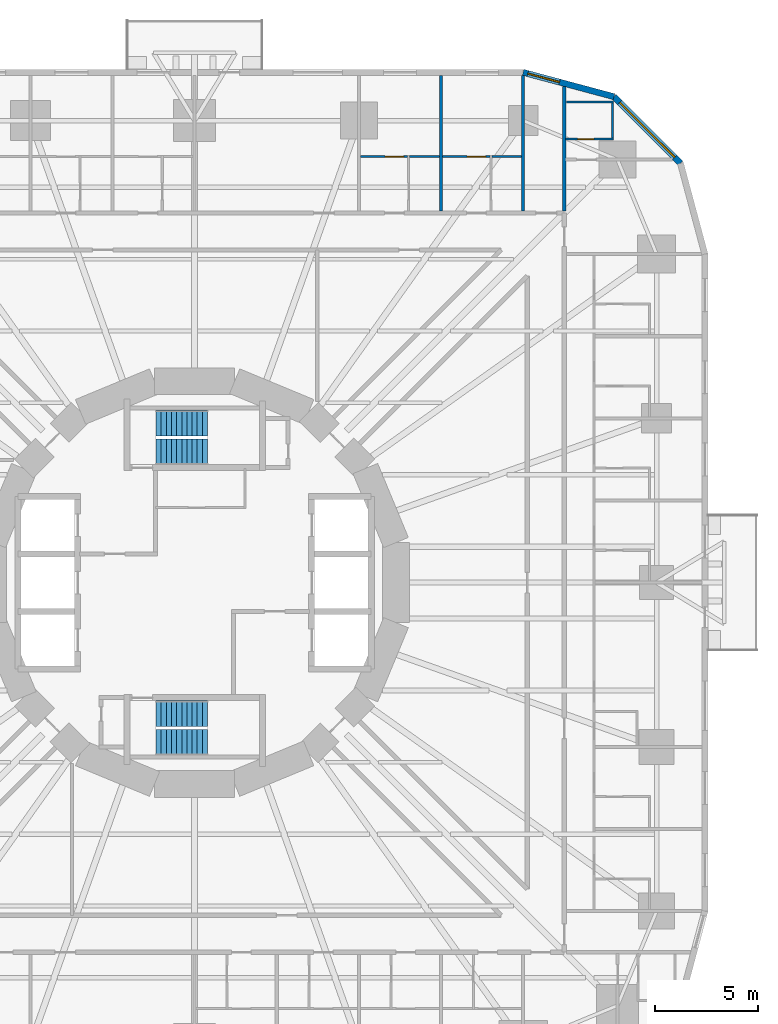
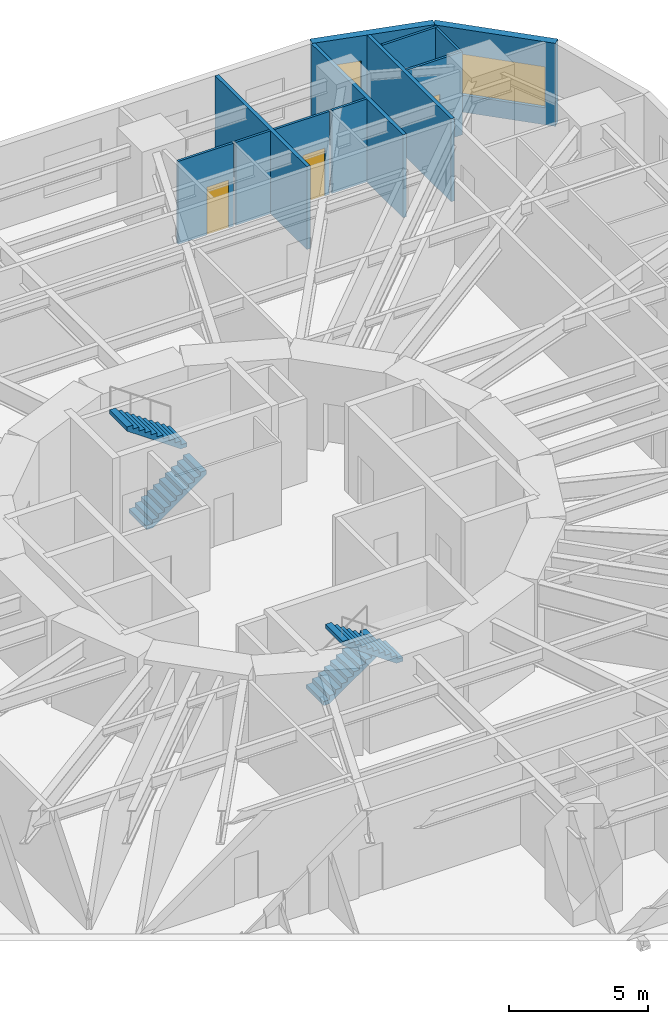
# One storey, part 12 of 14: 12 walls, 4 stair flights, 3 doors, 2 windows, 5 openings, 2 elements without a shape of their own.
"""IFC4 building model written with IfcOpenShell, lengths in metres."""

from ifc_helpers import new_model, si_unit, direction, frame, frame_2d, origin, place, context, subcontext, project, spatial, polyline, rectangle, outline, extrude, material, layer, layer_set, type_object, element, fill, aggregate, save


model = new_model("IFC4")

# Units and contexts
model_context = context("Model", 3, precision=1e-05, world=origin(), true_north=direction((0.0, 1.0)))
body_context = subcontext(model_context, "Body", "Model", "MODEL_VIEW")
ifc_project = project(units=[si_unit("LENGTHUNIT", "METRE"), si_unit("AREAUNIT", "SQUARE_METRE"), si_unit("VOLUMEUNIT", "CUBIC_METRE"), si_unit("PLANEANGLEUNIT", "RADIAN"), si_unit("MASSUNIT", "GRAM", prefix="KILO")], contexts=[model_context])

# Site, building, storey
site_placement = place(None, origin())
site = spatial("IfcSite", under=ifc_project, at=site_placement, CompositionType="ELEMENT")
building_placement = place(site_placement, origin())
building = spatial("IfcBuilding", under=site, at=building_placement, Name="Nakasero Lantern House", CompositionType="ELEMENT")
storey_placement = place(building_placement, frame((0.0, 0.0, 19.85009765625)))
storey = spatial("IfcBuildingStorey", under=building, at=storey_placement, Name="L04", CompositionType="ELEMENT", Elevation=19.85009765625)

# Wall, opening, door
ifc_material_1 = material(Name="Blockwork", Category="masonry")
ifc_layer_1 = layer(ifc_material_1, 0.10009765625)
ifc_layer_set_1 = layer_set([ifc_layer_1], Name="En-suite wall 100")
wall_type_1 = type_object("IfcWallType", Name="En-suite wall 100", PredefinedType="PARTITIONING", material=ifc_layer_set_1)
wall_1_placement = place(storey_placement, frame((18.06494140625, 21.59619140625, 0.0), z_axis=(0.0, 0.0, 1.0), x_axis=(1.0, 0.0, 0.0)))
wall_1 = element("IfcWall", 1, at=wall_1_placement, inside=storey, type_object=wall_type_1, Name="En-suite wall L04 ES0-09", PredefinedType="PARTITIONING", context=body_context, shape_type="SweptSolid", body=[
    extrude(rectangle(XDim=2.3349609375, YDim=0.10009765625, at=frame_2d((1.16748046875, 0.0))), origin(), (0.0, 0.0, 1.0), 3.64990234375),
])
opening_1_placement = place(wall_1_placement, frame((0.5849609375, 0.0, 0.0)))
opening_1 = element("IfcOpeningElement", 2, at=opening_1_placement, cuts=wall_1, Name="Opening D02", PredefinedType="OPENING", context=body_context, shape_type="SweptSolid", body=[
    extrude(rectangle(XDim=0.800048828125, YDim=2.10009765625, at=frame_2d((0.39990234375, 1.050048828125))), frame((0.0, 0.070068359375, 0.0), z_axis=(0.0, -1.0, 0.0), x_axis=(1.0, 0.0, 0.0)), (0.0, 0.0, 1.0), 0.14013671875),
])
ifc_material_2 = material(Name="Timber C24", Category="wood")
door_type_1 = type_object("IfcDoorType", Name="En-suite door 800", OperationType="SINGLE_SWING_RIGHT", PredefinedType="DOOR", material=ifc_material_2)
door_1_placement = place(opening_1_placement, origin())
door_1 = element("IfcDoor", 3, at=door_1_placement, inside=storey, type_object=door_type_1, Name="Door L04 DE0-09", OperationType="SINGLE_SWING_LEFT", OverallHeight=2.10009765625, OverallWidth=0.800048828125, PredefinedType="DOOR", context=body_context, shape_type="SweptSolid", body=[
    extrude(rectangle(XDim=0.800048828125, YDim=2.10009765625, at=frame_2d((0.39990234375, 1.050048828125))), frame((0.0, 0.02490234375, 0.0), z_axis=(0.0, -1.0, 0.0), x_axis=(1.0, 0.0, 0.0)), (0.0, 0.0, 1.0), 0.050048828125),
])
fill(opening_1, door_1)

# Walls
wall_2_placement = place(storey_placement, frame((20.35009765625, 21.646240234375, 0.0), z_axis=(0.0, 0.0, 1.0), x_axis=(0.0, 1.0, 0.0)))
element("IfcWall", 4, at=wall_2_placement, inside=storey, type_object=wall_type_1, Name="En-suite wall L04 EE0-09", PredefinedType="PARTITIONING", context=body_context, shape_type="SweptSolid", body=[
    extrude(rectangle(XDim=1.699951171875, YDim=0.10009765625, at=frame_2d((0.85009765625, 0.0))), origin(), (0.0, 0.0, 1.0), 3.64990234375),
])
wall_3_placement = place(storey_placement, frame((18.10009765625, 23.396240234375, 0.0), z_axis=(0.0, 0.0, 1.0), x_axis=(1.0, 0.0, 0.0)))
element("IfcWall", 5, at=wall_3_placement, inside=storey, type_object=wall_type_1, Name="En-suite wall L04 EV0-09", PredefinedType="PARTITIONING", context=body_context, shape_type="SweptSolid", body=[
    extrude(rectangle(XDim=2.2998046875, YDim=0.10009765625, at=frame_2d((1.14990234375, 0.0))), origin(), (0.0, 0.0, 1.0), 3.64990234375),
])
for number, where, z_axis, x_axis, name in (
    (6, (15.925048828125, 20.75, 0.0), (0.0, 0.0, 1.0), (-1.0, 0.0, 0.0), "En-suite wall L04 EE1-01"),
    (7, (11.925048828125, 20.75, 0.0), (0.0, 0.0, 1.0), (-1.0, 0.0, 0.0), "En-suite wall L04 EE1-02"),
):
    element("IfcWall", number, at=place(storey_placement, frame(where, z_axis=z_axis, x_axis=x_axis)), inside=storey, type_object=wall_type_1, Name=name, PredefinedType="PARTITIONING", context=body_context, shape_type="SweptSolid", body=[
        extrude(rectangle(XDim=1.449951171875, YDim=0.10009765625, at=frame_2d((0.72509765625, 0.0))), origin(), (0.0, 0.0, 1.0), 3.64990234375),
    ])

# Wall, opening, door
wall_4_placement = place(storey_placement, frame((14.375, 20.75, 0.0), z_axis=(0.0, 0.0, 1.0), x_axis=(-1.0, 0.0, 0.0)))
wall_4 = element("IfcWall", 8, at=wall_4_placement, inside=storey, type_object=wall_type_1, Name="En-suite wall L04 EL1-01", PredefinedType="PARTITIONING", context=body_context, shape_type="SweptSolid", body=[
    extrude(rectangle(XDim=2.300048828125, YDim=0.10009765625, at=frame_2d((1.14990234375, 0.0))), origin(), (0.0, 0.0, 1.0), 3.64990234375),
])
opening_2_placement = place(wall_4_placement, frame((0.199951171875, 0.0, 0.0)))
opening_2 = element("IfcOpeningElement", 9, at=opening_2_placement, cuts=wall_4, Name="Opening D17", PredefinedType="OPENING", context=body_context, shape_type="SweptSolid", body=[
    extrude(rectangle(XDim=0.89990234375, YDim=2.10009765625, at=frame_2d((0.449951171875, 1.050048828125))), frame((0.0, 0.070068359375, 0.0), z_axis=(0.0, -1.0, 0.0), x_axis=(1.0, 0.0, 0.0)), (0.0, 0.0, 1.0), 0.14013671875),
])
ifc_material_3 = material(Name="Timber C24", Category="wood")
door_type_2 = type_object("IfcDoorType", Name="Bedroom door FD30S 900", OperationType="SINGLE_SWING_LEFT", PredefinedType="DOOR", material=ifc_material_3)
door_2_placement = place(opening_2_placement, origin())
door_2 = element("IfcDoor", 10, at=door_2_placement, inside=storey, type_object=door_type_2, Name="Door L04 DL1-01", OperationType="SINGLE_SWING_LEFT", OverallHeight=2.10009765625, OverallWidth=0.89990234375, PredefinedType="DOOR", context=body_context, shape_type="SweptSolid", body=[
    extrude(rectangle(XDim=0.89990234375, YDim=2.10009765625, at=frame_2d((0.449951171875, 1.050048828125))), frame((0.0, 0.02490234375, 0.0), z_axis=(0.0, -1.0, 0.0), x_axis=(1.0, 0.0, 0.0)), (0.0, 0.0, 1.0), 0.050048828125),
])
fill(opening_2, door_2)

wall_5_placement = place(storey_placement, frame((10.375, 20.75, 0.0), z_axis=(0.0, 0.0, 1.0), x_axis=(-1.0, 0.0, 0.0)))
wall_5 = element("IfcWall", 11, at=wall_5_placement, inside=storey, type_object=wall_type_1, Name="En-suite wall L04 EL1-02", PredefinedType="PARTITIONING", context=body_context, shape_type="SweptSolid", body=[
    extrude(rectangle(XDim=2.300048828125, YDim=0.10009765625, at=frame_2d((1.14990234375, 0.0))), origin(), (0.0, 0.0, 1.0), 3.64990234375),
])
opening_3_placement = place(wall_5_placement, frame((0.199951171875, 0.0, 0.0)))
opening_3 = element("IfcOpeningElement", 12, at=opening_3_placement, cuts=wall_5, Name="Opening D17", PredefinedType="OPENING", context=body_context, shape_type="SweptSolid", body=[
    extrude(rectangle(XDim=0.89990234375, YDim=2.10009765625, at=frame_2d((0.449951171875, 1.050048828125))), frame((0.0, 0.070068359375, 0.0), z_axis=(0.0, -1.0, 0.0), x_axis=(1.0, 0.0, 0.0)), (0.0, 0.0, 1.0), 0.14013671875),
])
door_3_placement = place(opening_3_placement, origin())
door_3 = element("IfcDoor", 13, at=door_3_placement, inside=storey, type_object=door_type_2, Name="Door L04 DL1-02", OperationType="SINGLE_SWING_LEFT", OverallHeight=2.10009765625, OverallWidth=0.89990234375, PredefinedType="DOOR", context=body_context, shape_type="SweptSolid", body=[
    extrude(rectangle(XDim=0.89990234375, YDim=2.10009765625, at=frame_2d((0.449951171875, 1.050048828125))), frame((0.0, 0.02490234375, 0.0), z_axis=(0.0, -1.0, 0.0), x_axis=(1.0, 0.0, 0.0)), (0.0, 0.0, 1.0), 0.050048828125),
])
fill(opening_3, door_3)

# Wall, opening, window
ifc_material_4 = material(Name="Aluminium rainscreen on blockwork", Category="masonry")
ifc_layer_2 = layer(ifc_material_4, 0.300048828125)
ifc_layer_set_2 = layer_set([ifc_layer_2], Name="Facade wall 300")
wall_type_2 = type_object("IfcWallType", Name="Facade wall 300", PredefinedType="SOLIDWALL", material=ifc_layer_set_2)
wall_6_placement = place(storey_placement, frame((23.664306640625, 20.425048828125, 0.0), z_axis=(0.0, 0.0, 1.0), x_axis=(-0.707106781187, 0.707106781187, 0.0)))
wall_6 = element("IfcWall", 14, at=wall_6_placement, inside=storey, type_object=wall_type_2, Name="Facade wall L04 FW0C2", PredefinedType="SOLIDWALL", context=body_context, shape_type="SweptSolid", body=[
    extrude(rectangle(XDim=4.5810546875, YDim=0.300048828125, at=frame_2d((2.29052734375, 0.0))), origin(), (0.0, 0.0, 1.0), 3.64990234375),
])
opening_4_placement = place(wall_6_placement, frame((0.39990234375, 0.0, 0.75)))
opening_4 = element("IfcOpeningElement", 15, at=opening_4_placement, cuts=wall_6, Name="Opening W237", PredefinedType="OPENING", context=body_context, shape_type="SweptSolid", body=[
    extrude(rectangle(XDim=3.781005859375, YDim=1.800048828125, at=frame_2d((1.890625, 0.89990234375))), frame((0.0, 0.169921875, 0.0), z_axis=(0.0, -1.0, 0.0), x_axis=(1.0, 0.0, 0.0)), (0.0, 0.0, 1.0), 0.340087890625),
])
ifc_material_5 = material(Name="Aluminium 6063-T6 and glass", Category="aluminium")
window_type_1 = type_object("IfcWindowType", Name="Corner window 3781x1800", PartitioningType="SINGLE_PANEL", PredefinedType="WINDOW", material=ifc_material_5)
window_1_placement = place(opening_4_placement, origin())
window_1 = element("IfcWindow", 16, at=window_1_placement, inside=storey, type_object=window_type_1, Name="Window L04 WC0", OverallHeight=1.800048828125, OverallWidth=3.781005859375, PartitioningType="SINGLE_PANEL", PredefinedType="WINDOW", context=body_context, shape_type="SweptSolid", body=[
    extrude(rectangle(XDim=3.781005859375, YDim=1.800048828125, at=frame_2d((1.890625, 0.89990234375))), frame((0.0, 0.030029296875, 0.0), z_axis=(0.0, -1.0, 0.0), x_axis=(1.0, 0.0, 0.0)), (0.0, 0.0, 1.0), 0.06005859375),
])
fill(opening_4, window_1)

wall_7_placement = place(storey_placement, frame((20.425048828125, 23.664306640625, 0.0), z_axis=(0.0, 0.0, 1.0), x_axis=(-0.965920218567, 0.258839972501, 0.0)))
wall_7 = element("IfcWall", 17, at=wall_7_placement, inside=storey, type_object=wall_type_2, Name="Facade wall L04 FW0C3", PredefinedType="SOLIDWALL", context=body_context, shape_type="SweptSolid", body=[
    extrude(rectangle(XDim=4.5810546875, YDim=0.300048828125, at=frame_2d((2.29052734375, 0.0))), origin(), (0.0, 0.0, 1.0), 3.64990234375),
])
opening_5_placement = place(wall_7_placement, frame((2.74609375, 0.0, 0.75)))
opening_5 = element("IfcOpeningElement", 18, at=opening_5_placement, cuts=wall_7, Name="Opening W01", PredefinedType="OPENING", context=body_context, shape_type="SweptSolid", body=[
    extrude(rectangle(XDim=1.60009765625, YDim=1.800048828125, at=frame_2d((0.800048828125, 0.89990234375))), frame((0.0, 0.169921875, 0.0), z_axis=(0.0, -1.0, 0.0), x_axis=(1.0, 0.0, 0.0)), (0.0, 0.0, 1.0), 0.340087890625),
])
ifc_material_6 = material(Name="Aluminium 6063-T6 and glass", Category="aluminium")
window_type_2 = type_object("IfcWindowType", Name="Bedroom window 1600x1800", PartitioningType="SINGLE_PANEL", PredefinedType="WINDOW", material=ifc_material_6)
window_2_placement = place(opening_5_placement, origin())
window_2 = element("IfcWindow", 19, at=window_2_placement, inside=storey, type_object=window_type_2, Name="Window L04 WN1-00", OverallHeight=1.800048828125, OverallWidth=1.60009765625, PartitioningType="SINGLE_PANEL", PredefinedType="WINDOW", context=body_context, shape_type="SweptSolid", body=[
    extrude(rectangle(XDim=1.60009765625, YDim=1.800048828125, at=frame_2d((0.800048828125, 0.89990234375))), frame((0.0, 0.030029296875, 0.0), z_axis=(0.0, -1.0, 0.0), x_axis=(1.0, 0.0, 0.0)), (0.0, 0.0, 1.0), 0.06005859375),
])
fill(opening_5, window_2)

# Walls
ifc_material_7 = material(Name="Blockwork", Category="masonry")
ifc_layer_3 = layer(ifc_material_7, 0.14990234375)
ifc_layer_set_3 = layer_set([ifc_layer_3], Name="Party wall 150")
wall_type_3 = type_object("IfcWallType", Name="Party wall 150", PredefinedType="PARTITIONING", material=ifc_layer_set_3)
wall_8_placement = place(storey_placement, frame((18.0, 18.10009765625, 0.0), z_axis=(0.0, 0.0, 1.0), x_axis=(0.0, 1.0, 0.0)))
element("IfcWall", 20, at=wall_8_placement, inside=storey, type_object=wall_type_3, Name="Party wall L04 PW1-00", PredefinedType="PARTITIONING", context=body_context, shape_type="SweptSolid", body=[
    extrude(rectangle(XDim=6.053466796875, YDim=0.14990234375, at=frame_2d((3.02685546875, 0.0))), origin(), (0.0, 0.0, 1.0), 3.64990234375),
])
wall_9_placement = place(storey_placement, frame((16.0, 18.10009765625, 0.0), z_axis=(0.0, 0.0, 1.0), x_axis=(0.0, 1.0, 0.0)))
element("IfcWall", 21, at=wall_9_placement, inside=storey, type_object=wall_type_3, Name="Party wall L04 PW1-01", PredefinedType="PARTITIONING", context=body_context, shape_type="SweptSolid", body=[
    extrude(rectangle(XDim=6.58935546875, YDim=0.14990234375, at=frame_2d((3.294677734375, 0.0))), origin(), (0.0, 0.0, 1.0), 3.64990234375),
])
wall_10_placement = place(storey_placement, frame((12.0, 18.10009765625, 0.0), z_axis=(0.0, 0.0, 1.0), x_axis=(0.0, 1.0, 0.0)))
element("IfcWall", 22, at=wall_10_placement, inside=storey, type_object=wall_type_3, Name="Party wall L04 PW1-02", PredefinedType="PARTITIONING", context=body_context, shape_type="SweptSolid", body=[
    extrude(rectangle(XDim=6.599853515625, YDim=0.14990234375, at=frame_2d((3.2998046875, 0.0))), origin(), (0.0, 0.0, 1.0), 3.64990234375),
])

# Stair, stair flights
ifc_material_8 = material(Name="Concrete C40/50", Category="concrete")
stair_type_1 = type_object("IfcStairType", Name="Escape stair ST1 22 risers", PredefinedType="HALF_TURN_STAIR", material=ifc_material_8)
stair_1_placement = place(storey_placement, origin())
stair_1 = element("IfcStair", 23, at=stair_1_placement, inside=storey, type_object=stair_type_1, Name="Escape stair ST1 L04", PredefinedType="HALF_TURN_STAIR")
ifc_material_9 = material(Name="Concrete C40/50", Category="concrete")
stair_flight_type = type_object("IfcStairFlightType", Name="Escape stair flight", PredefinedType="STRAIGHT", material=ifc_material_9)
stair_flight_1_placement = place(storey_placement, frame((-1.875, 6.375, 0.0), z_axis=(0.0, 0.0, 1.0), x_axis=(1.0, 0.0, 0.0)))
stair_flight_1 = element("IfcStairFlight", 24, at=stair_flight_1_placement, type_object=stair_flight_type, Name="ST1 flight 1", NumberOfRisers=11, NumberOfTreads=10, PredefinedType="STRAIGHT", RiserHeight=0.175, TreadLength=0.25, context=body_context, shape_type="SweptSolid", body=[
    extrude(outline(polyline([(0.0, 0.0), (0.0, 0.175048828125), (0.25, 0.175048828125), (0.25, 0.35009765625), (0.5, 0.35009765625), (0.5, 0.52490234375), (0.75, 0.52490234375), (0.75, 0.699951171875), (1.0, 0.699951171875), (1.0, 0.875), (1.25, 0.875), (1.25, 1.050048828125), (1.5, 1.050048828125), (1.5, 1.22509765625), (1.75, 1.22509765625), (1.75, 1.39990234375), (2.0, 1.39990234375), (2.0, 1.574951171875), (2.25, 1.574951171875), (2.25, 1.75), (2.5, 1.75), (2.5, 1.925048828125), (2.5, 1.567138671875), (0.261474609375, 0.0), (0.0, 0.0)])), frame((0.0, 0.625, 0.0), z_axis=(0.0, -1.0, 0.0), x_axis=(1.0, 0.0, 0.0)), (0.0, 0.0, 1.0), 1.25),
])
stair_flight_2_placement = place(storey_placement, frame((0.625, 7.77490234375, 1.9248046875), z_axis=(0.0, 0.0, 1.0), x_axis=(-1.0, 0.0, 0.0)))
stair_flight_2 = element("IfcStairFlight", 25, at=stair_flight_2_placement, type_object=stair_flight_type, Name="ST1 flight 2", NumberOfRisers=11, NumberOfTreads=10, PredefinedType="STRAIGHT", RiserHeight=0.175, TreadLength=0.25, context=body_context, shape_type="SweptSolid", body=[
    extrude(outline(polyline([(0.0, 0.0), (0.0, 0.175048828125), (0.25, 0.175048828125), (0.25, 0.35009765625), (0.5, 0.35009765625), (0.5, 0.52490234375), (0.75, 0.52490234375), (0.75, 0.699951171875), (1.0, 0.699951171875), (1.0, 0.875), (1.25, 0.875), (1.25, 1.050048828125), (1.5, 1.050048828125), (1.5, 1.22509765625), (1.75, 1.22509765625), (1.75, 1.39990234375), (2.0, 1.39990234375), (2.0, 1.574951171875), (2.25, 1.574951171875), (2.25, 1.75), (2.5, 1.75), (2.5, 1.925048828125), (2.5, 1.567138671875), (0.261474609375, 0.0), (0.0, 0.0)])), frame((0.0, 0.625, 0.0), z_axis=(0.0, -1.0, 0.0), x_axis=(1.0, 0.0, 0.0)), (0.0, 0.0, 1.0), 1.25),
])
aggregate(stair_1, [stair_flight_1, stair_flight_2])

ifc_material_10 = material(Name="Concrete C40/50", Category="concrete")
stair_type_2 = type_object("IfcStairType", Name="Escape stair ST2 22 risers", PredefinedType="HALF_TURN_STAIR", material=ifc_material_10)
stair_2_placement = place(storey_placement, origin())
stair_2 = element("IfcStair", 26, at=stair_2_placement, inside=storey, type_object=stair_type_2, Name="Escape stair ST2 L04", PredefinedType="HALF_TURN_STAIR")
stair_flight_3_placement = place(storey_placement, frame((-1.875, -6.375, 0.0), z_axis=(0.0, 0.0, 1.0), x_axis=(1.0, 0.0, 0.0)))
stair_flight_3 = element("IfcStairFlight", 27, at=stair_flight_3_placement, type_object=stair_flight_type, Name="ST2 flight 1", NumberOfRisers=11, NumberOfTreads=10, PredefinedType="STRAIGHT", RiserHeight=0.175, TreadLength=0.25, context=body_context, shape_type="SweptSolid", body=[
    extrude(outline(polyline([(0.0, 0.0), (0.0, 0.175048828125), (0.25, 0.175048828125), (0.25, 0.35009765625), (0.5, 0.35009765625), (0.5, 0.52490234375), (0.75, 0.52490234375), (0.75, 0.699951171875), (1.0, 0.699951171875), (1.0, 0.875), (1.25, 0.875), (1.25, 1.050048828125), (1.5, 1.050048828125), (1.5, 1.22509765625), (1.75, 1.22509765625), (1.75, 1.39990234375), (2.0, 1.39990234375), (2.0, 1.574951171875), (2.25, 1.574951171875), (2.25, 1.75), (2.5, 1.75), (2.5, 1.925048828125), (2.5, 1.567138671875), (0.261474609375, 0.0), (0.0, 0.0)])), frame((0.0, 0.625, 0.0), z_axis=(0.0, -1.0, 0.0), x_axis=(1.0, 0.0, 0.0)), (0.0, 0.0, 1.0), 1.25),
])
stair_flight_4_placement = place(storey_placement, frame((0.625, -7.77490234375, 1.9248046875), z_axis=(0.0, 0.0, 1.0), x_axis=(-1.0, 0.0, 0.0)))
stair_flight_4 = element("IfcStairFlight", 28, at=stair_flight_4_placement, type_object=stair_flight_type, Name="ST2 flight 2", NumberOfRisers=11, NumberOfTreads=10, PredefinedType="STRAIGHT", RiserHeight=0.175, TreadLength=0.25, context=body_context, shape_type="SweptSolid", body=[
    extrude(outline(polyline([(0.0, 0.0), (0.0, 0.175048828125), (0.25, 0.175048828125), (0.25, 0.35009765625), (0.5, 0.35009765625), (0.5, 0.52490234375), (0.75, 0.52490234375), (0.75, 0.699951171875), (1.0, 0.699951171875), (1.0, 0.875), (1.25, 0.875), (1.25, 1.050048828125), (1.5, 1.050048828125), (1.5, 1.22509765625), (1.75, 1.22509765625), (1.75, 1.39990234375), (2.0, 1.39990234375), (2.0, 1.574951171875), (2.25, 1.574951171875), (2.25, 1.75), (2.5, 1.75), (2.5, 1.925048828125), (2.5, 1.567138671875), (0.261474609375, 0.0), (0.0, 0.0)])), frame((0.0, 0.625, 0.0), z_axis=(0.0, -1.0, 0.0), x_axis=(1.0, 0.0, 0.0)), (0.0, 0.0, 1.0), 1.25),
])
aggregate(stair_2, [stair_flight_3, stair_flight_4])

save(model, "model.ifc")
